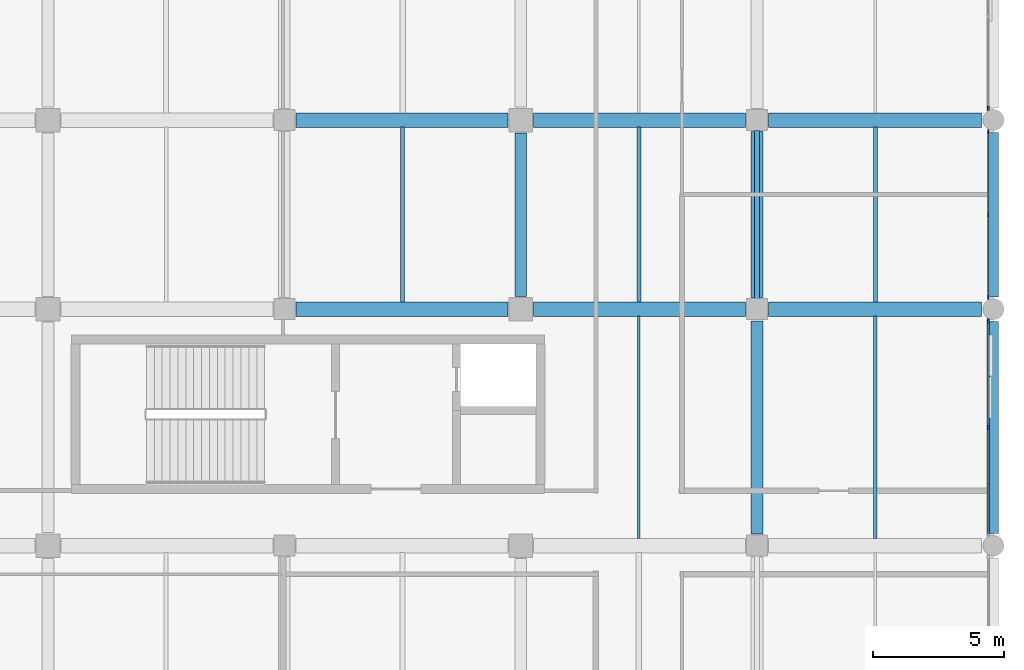
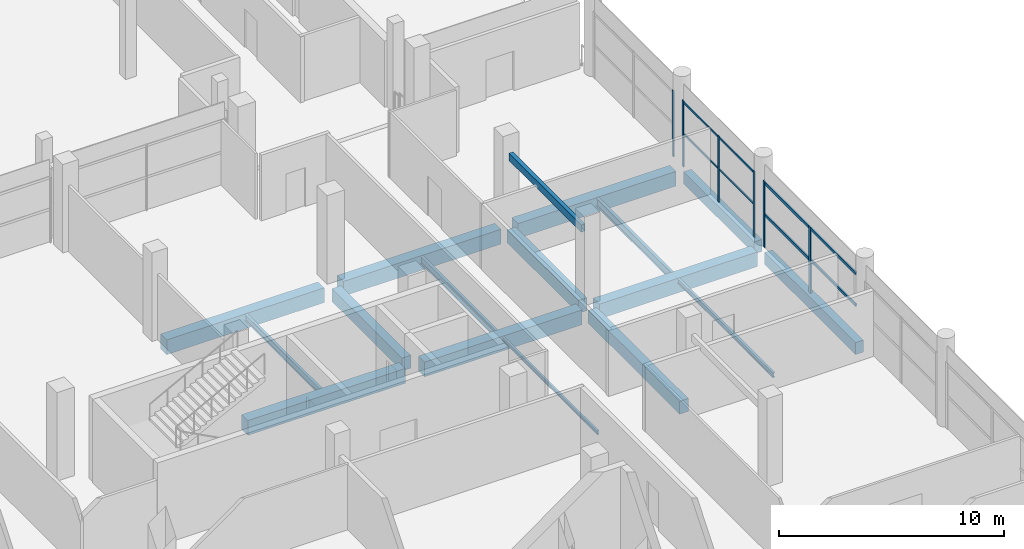
# One storey, part 40 of 111: 16 beams, 11 members, 3 elements without a shape of their own.
"""IFC4 building model written with IfcOpenShell, lengths in metres."""

from ifc_helpers import new_model, si_unit, direction, frame, origin, origin_2d, place, context, subcontext, project, spatial, rectangle, hollow_rectangle, i_section, extrude, material, material_profile, profile_set, type_object, element, aggregate, save


model = new_model("IFC4")

# Units and contexts
model_context = context("Model", 3, precision=1e-05, world=origin(), true_north=direction((0.0, 1.0)))
body_context = subcontext(model_context, "Body", "Model", "MODEL_VIEW")
ifc_project = project(units=[si_unit("LENGTHUNIT", "METRE"), si_unit("AREAUNIT", "SQUARE_METRE"), si_unit("VOLUMEUNIT", "CUBIC_METRE"), si_unit("PLANEANGLEUNIT", "RADIAN"), si_unit("MASSUNIT", "GRAM", prefix="KILO"), si_unit("THERMODYNAMICTEMPERATUREUNIT", "KELVIN"), si_unit("POWERUNIT", "WATT")], contexts=[model_context])

# Site, building, storey
site_placement = place(None, origin())
site = spatial("IfcSite", under=ifc_project, at=site_placement, CompositionType="ELEMENT")
building_placement = place(site_placement, origin())
building = spatial("IfcBuilding", under=site, at=building_placement, Name="Sindhuravela Promenade Stadium", CompositionType="ELEMENT")
storey_placement = place(building_placement, frame((0.0, 0.0, 9.60009765625)))
storey = spatial("IfcBuildingStorey", under=building, at=storey_placement, Name="L02", CompositionType="ELEMENT", Elevation=9.60009765625)

# Curtain wall, members
ifc_material_1 = material(Name="Anodised architectural aluminium 6063-T6", Category="aluminium")
curtain_wall_type_1 = type_object("IfcCurtainWallType", Name="CW-MOD-5", PredefinedType="NOTDEFINED", material=ifc_material_1)
curtain_wall_1_placement = place(storey_placement, origin())
curtain_wall_1 = element("IfcCurtainWall", 1, at=curtain_wall_1_placement, inside=storey, type_object=curtain_wall_type_1, Name="Bronze curtain wall CW-EAST-L02-108", PredefinedType="NOTDEFINED")
ifc_material_profile_1 = material_profile(ifc_material_1, rectangle(XDim=0.074951171875, YDim=0.175048828125, at=origin_2d()), Name="ALU MULL 75x175")
ifc_profile_set_1 = profile_set([ifc_material_profile_1], Name="Anodised architectural aluminium 6063-T6")
member_type_1 = type_object("IfcMemberType", Name="CW-MUL-1", PredefinedType="MULLION", material=ifc_profile_set_1)
member_1_placement = place(storey_placement, frame((215.800048828125, 109.35009765625, 0.0), z_axis=(0.0, 0.0, 1.0), x_axis=(1.0, 0.0, 0.0)))
member_1 = element("IfcMember", 2, at=member_1_placement, type_object=member_type_1, Name="Curtain wall mullion CW-EAST-L02-108-M1", PredefinedType="MULLION", context=body_context, shape_type="SweptSolid", body=[
    extrude(rectangle(XDim=0.074951171875, YDim=0.175048828125, at=origin_2d()), origin(), (0.0, 0.0, 1.0), 3.579833984375),
])
member_2_placement = place(storey_placement, frame((215.800048828125, 105.300048828125, 0.0), z_axis=(0.0, 0.0, 1.0), x_axis=(1.0, 0.0, 0.0)))
member_2 = element("IfcMember", 3, at=member_2_placement, type_object=member_type_1, Name="Curtain wall mullion CW-EAST-L02-108-M2", PredefinedType="MULLION", context=body_context, shape_type="SweptSolid", body=[
    extrude(rectangle(XDim=0.074951171875, YDim=0.175048828125, at=origin_2d()), origin(), (0.0, 0.0, 1.0), 3.579833984375),
])

# Curtain wall, member
curtain_wall_type_2 = type_object("IfcCurtainWallType", Name="CW-MOD-3", PredefinedType="NOTDEFINED", material=ifc_material_1)
curtain_wall_2_placement = place(storey_placement, origin())
curtain_wall_2 = element("IfcCurtainWall", 4, at=curtain_wall_2_placement, inside=storey, type_object=curtain_wall_type_2, Name="Bronze curtain wall CW-EAST-L02-106", PredefinedType="NOTDEFINED")
ifc_material_profile_2 = material_profile(ifc_material_1, rectangle(XDim=0.06005859375, YDim=0.139892578125, at=origin_2d()), Name="ALU M60x140")
ifc_profile_set_2 = profile_set([ifc_material_profile_2], Name="Anodised architectural aluminium 6063-T6")
member_type_2 = type_object("IfcMemberType", Name="CW-MUL-5", PredefinedType="MULLION", material=ifc_profile_set_2)
member_3_placement = place(storey_placement, frame((215.800048828125, 117.449951171875, 0.0), z_axis=(0.0, 0.0, 1.0), x_axis=(1.0, 0.0, 0.0)))
member_3 = element("IfcMember", 5, at=member_3_placement, type_object=member_type_2, Name="Curtain wall mullion CW-EAST-L02-106-M3", PredefinedType="MULLION", context=body_context, shape_type="SweptSolid", body=[
    extrude(rectangle(XDim=0.06005859375, YDim=0.139892578125, at=origin_2d()), origin(), (0.0, 0.0, 1.0), 3.579833984375),
])
aggregate(curtain_wall_2, [member_3])

# Curtain wall, members
curtain_wall_type_3 = type_object("IfcCurtainWallType", Name="CW-MOD-4", PredefinedType="NOTDEFINED", material=ifc_material_1)
curtain_wall_3_placement = place(storey_placement, origin())
curtain_wall_3 = element("IfcCurtainWall", 6, at=curtain_wall_3_placement, inside=storey, type_object=curtain_wall_type_3, Name="Bronze curtain wall CW-EAST-L02-107", PredefinedType="NOTDEFINED")
ifc_material_profile_3 = material_profile(ifc_material_1, rectangle(XDim=0.054931640625, YDim=0.14990234375, at=origin_2d()), Name="ALU M55x150")
ifc_profile_set_3 = profile_set([ifc_material_profile_3], Name="Anodised architectural aluminium 6063-T6")
member_type_3 = type_object("IfcMemberType", Name="CW-MUL-6", PredefinedType="MULLION", material=ifc_profile_set_3)
member_4_placement = place(storey_placement, frame((215.800048828125, 116.550048828125, 0.0), z_axis=(0.0, 0.0, 1.0), x_axis=(1.0, 0.0, 0.0)))
member_4 = element("IfcMember", 7, at=member_4_placement, type_object=member_type_3, Name="Curtain wall mullion CW-EAST-L02-107-M1", PredefinedType="MULLION", context=body_context, shape_type="SweptSolid", body=[
    extrude(rectangle(XDim=0.054931640625, YDim=0.14990234375, at=origin_2d()), origin(), (0.0, 0.0, 1.0), 3.579833984375),
])
member_5_placement = place(storey_placement, frame((215.800048828125, 113.39990234375, 0.0), z_axis=(0.0, 0.0, 1.0), x_axis=(1.0, 0.0, 0.0)))
member_5 = element("IfcMember", 8, at=member_5_placement, type_object=member_type_3, Name="Curtain wall mullion CW-EAST-L02-107-M2", PredefinedType="MULLION", context=body_context, shape_type="SweptSolid", body=[
    extrude(rectangle(XDim=0.054931640625, YDim=0.14990234375, at=origin_2d()), origin(), (0.0, 0.0, 1.0), 3.579833984375),
])
member_6_placement = place(storey_placement, frame((215.800048828125, 110.25, 0.0), z_axis=(0.0, 0.0, 1.0), x_axis=(1.0, 0.0, 0.0)))
member_6 = element("IfcMember", 9, at=member_6_placement, type_object=member_type_3, Name="Curtain wall mullion CW-EAST-L02-107-M3", PredefinedType="MULLION", context=body_context, shape_type="SweptSolid", body=[
    extrude(rectangle(XDim=0.054931640625, YDim=0.14990234375, at=origin_2d()), origin(), (0.0, 0.0, 1.0), 3.579833984375),
])

# Member
ifc_material_profile_4 = material_profile(ifc_material_1, rectangle(XDim=0.074951171875, YDim=0.14990234375, at=origin_2d()), Name="ALU TRAN 75x150")
ifc_profile_set_4 = profile_set([ifc_material_profile_4], Name="Anodised architectural aluminium 6063-T6")
member_type_4 = type_object("IfcMemberType", Name="CW-TRN-1", PredefinedType="USERDEFINED", material=ifc_profile_set_4)
member_7_placement = place(storey_placement, frame((215.800048828125, 109.375, 1.789794921875), z_axis=(0.0, -1.0, 0.0), x_axis=(1.0, 0.0, 0.0)))
member_7 = element("IfcMember", 10, at=member_7_placement, type_object=member_type_4, Name="Curtain wall transom CW-EAST-L02-108-T1", ObjectType="TRANSOM", PredefinedType="USERDEFINED", context=body_context, shape_type="SweptSolid", body=[
    extrude(rectangle(XDim=0.074951171875, YDim=0.14990234375, at=origin_2d()), origin(), (0.0, 0.0, 1.0), 8.14990234375),
])

member_8_placement = place(storey_placement, frame((215.800048828125, 109.375, 3.5), z_axis=(0.0, -1.0, 0.0), x_axis=(1.0, 0.0, 0.0)))
member_8 = element("IfcMember", 11, at=member_8_placement, type_object=member_type_4, Name="Curtain wall transom CW-EAST-L02-108-T2", ObjectType="TRANSOM", PredefinedType="USERDEFINED", context=body_context, shape_type="SweptSolid", body=[
    extrude(rectangle(XDim=0.074951171875, YDim=0.14990234375, at=origin_2d()), origin(), (0.0, 0.0, 1.0), 8.14990234375),
])

aggregate(curtain_wall_1, [member_1, member_2, member_7, member_8])

ifc_material_profile_5 = material_profile(ifc_material_1, rectangle(XDim=0.054931640625, YDim=0.10498046875, at=origin_2d()), Name="ALU T55x105")
ifc_profile_set_5 = profile_set([ifc_material_profile_5], Name="Anodised architectural aluminium 6063-T6")
member_type_5 = type_object("IfcMemberType", Name="CW-TRN-6", PredefinedType="USERDEFINED", material=ifc_profile_set_5)
member_9_placement = place(storey_placement, frame((215.800048828125, 116.574951171875, 1.789794921875), z_axis=(0.0, -1.0, 0.0), x_axis=(1.0, 0.0, 0.0)))
member_9 = element("IfcMember", 12, at=member_9_placement, type_object=member_type_5, Name="Curtain wall transom CW-EAST-L02-107-T1", ObjectType="TRANSOM", PredefinedType="USERDEFINED", context=body_context, shape_type="SweptSolid", body=[
    extrude(rectangle(XDim=0.054931640625, YDim=0.10498046875, at=origin_2d()), origin(), (0.0, 0.0, 1.0), 6.349853515625),
])

member_10_placement = place(storey_placement, frame((215.800048828125, 116.574951171875, 3.5), z_axis=(0.0, -1.0, 0.0), x_axis=(1.0, 0.0, 0.0)))
member_10 = element("IfcMember", 13, at=member_10_placement, type_object=member_type_5, Name="Curtain wall transom CW-EAST-L02-107-T2", ObjectType="TRANSOM", PredefinedType="USERDEFINED", context=body_context, shape_type="SweptSolid", body=[
    extrude(rectangle(XDim=0.054931640625, YDim=0.10498046875, at=origin_2d()), origin(), (0.0, 0.0, 1.0), 6.349853515625),
])

aggregate(curtain_wall_3, [member_4, member_5, member_6, member_9, member_10])

# Beams
ifc_material_2 = material(Name="Concrete M40", Category="concrete")
ifc_material_profile_6 = material_profile(ifc_material_2, rectangle(XDim=0.39990234375, YDim=0.64990234375, at=origin_2d()), Name="RC 400x650")
ifc_profile_set_6 = profile_set([ifc_material_profile_6], Name="Concrete M40")
beam_type_1 = type_object("IfcBeamType", Name="RC-BM-400x650", PredefinedType="SPANDREL", material=ifc_profile_set_6)
beam_1_placement = place(storey_placement, frame((216.0, 101.264892578125, -0.60498046875), z_axis=(0.0, 1.0, 0.0), x_axis=(-1.0, 0.0, 0.0)))
element("IfcBeam", 14, at=beam_1_placement, inside=storey, type_object=beam_type_1, Name="Primary beam SP01 EAST L02", PredefinedType="SPANDREL", context=body_context, shape_type="SweptSolid", body=[
    extrude(rectangle(XDim=0.39990234375, YDim=0.64990234375, at=origin_2d()), origin(), (0.0, 0.0, 1.0), 8.070068359375),
])
beam_2_placement = place(storey_placement, frame((216.0, 110.264892578125, -0.60498046875), z_axis=(0.0, 1.0, 0.0), x_axis=(-1.0, 0.0, 0.0)))
element("IfcBeam", 15, at=beam_2_placement, inside=storey, type_object=beam_type_1, Name="Primary beam SP01 EAST L02", PredefinedType="SPANDREL", context=body_context, shape_type="SweptSolid", body=[
    extrude(rectangle(XDim=0.39990234375, YDim=0.64990234375, at=origin_2d()), origin(), (0.0, 0.0, 1.0), 6.27001953125),
])
ifc_material_profile_7 = material_profile(ifc_material_2, rectangle(XDim=0.449951171875, YDim=0.699951171875, at=origin_2d()), Name="RC 450x700")
ifc_profile_set_7 = profile_set([ifc_material_profile_7], Name="Concrete M40")
beam_type_2 = type_object("IfcBeamType", Name="RC-BM-450x700", PredefinedType="BEAM", material=ifc_profile_set_7)
beam_3_placement = place(storey_placement, frame((198.0, 110.2900390625, -0.630126953125), z_axis=(0.0, 1.0, 0.0), x_axis=(-1.0, 0.0, 0.0)))
element("IfcBeam", 16, at=beam_3_placement, inside=storey, type_object=beam_type_2, Name="Primary beam GB07 EAST L02", PredefinedType="BEAM", context=body_context, shape_type="SweptSolid", body=[
    extrude(rectangle(XDim=0.449951171875, YDim=0.699951171875, at=origin_2d()), origin(), (0.0, 0.0, 1.0), 6.219970703125),
])
beam_4_placement = place(storey_placement, frame((207.0, 101.239990234375, -0.630126953125), z_axis=(0.0, 1.0, 0.0), x_axis=(-1.0, 0.0, 0.0)))
element("IfcBeam", 17, at=beam_4_placement, inside=storey, type_object=beam_type_2, Name="Primary beam GB07 EAST L02", PredefinedType="BEAM", context=body_context, shape_type="SweptSolid", body=[
    extrude(rectangle(XDim=0.449951171875, YDim=0.699951171875, at=origin_2d()), origin(), (0.0, 0.0, 1.0), 8.1201171875),
])
beam_5_placement = place(storey_placement, frame((207.0, 110.239990234375, -0.630126953125), z_axis=(0.0, 1.0, 0.0), x_axis=(-1.0, 0.0, 0.0)))
element("IfcBeam", 18, at=beam_5_placement, inside=storey, type_object=beam_type_2, Name="Primary beam GB07 EAST L02", PredefinedType="BEAM", context=body_context, shape_type="SweptSolid", body=[
    extrude(rectangle(XDim=0.449951171875, YDim=0.699951171875, at=origin_2d()), origin(), (0.0, 0.0, 1.0), 6.320068359375),
])
ifc_material_profile_8 = material_profile(ifc_material_2, rectangle(XDim=0.550048828125, YDim=0.800048828125, at=origin_2d()), Name="RC 550x800")
ifc_profile_set_8 = profile_set([ifc_material_profile_8], Name="Concrete M40")
beam_type_3 = type_object("IfcBeamType", Name="RC-BM-550x800", PredefinedType="BEAM", material=ifc_profile_set_8)
for number, where, z_axis, x_axis, name in (
    (19, (189.43994140625, 109.800048828125, -0.68017578125), (1.0, 0.0, 0.0), (0.0, 1.0, 0.0), "Primary girder GB05 EAST L02"),
    (20, (198.489990234375, 109.800048828125, -0.68017578125), (1.0, 0.0, 0.0), (0.0, 1.0, 0.0), "Primary girder GB05 EAST L02"),
):
    element("IfcBeam", number, at=place(storey_placement, frame(where, z_axis=z_axis, x_axis=x_axis)), inside=storey, type_object=beam_type_3, Name=name, PredefinedType="BEAM", context=body_context, shape_type="SweptSolid", body=[
        extrude(rectangle(XDim=0.550048828125, YDim=0.800048828125, at=origin_2d()), origin(), (0.0, 0.0, 1.0), 8.070068359375),
    ])
beam_6_placement = place(storey_placement, frame((207.43994140625, 109.800048828125, -0.68017578125), z_axis=(1.0, 0.0, 0.0), x_axis=(0.0, 1.0, 0.0)))
element("IfcBeam", 21, at=beam_6_placement, inside=storey, type_object=beam_type_3, Name="Primary girder GB05 EAST L02", PredefinedType="BEAM", context=body_context, shape_type="SweptSolid", body=[
    extrude(rectangle(XDim=0.550048828125, YDim=0.800048828125, at=origin_2d()), origin(), (0.0, 0.0, 1.0), 8.094970703125),
])
for number, where, z_axis, x_axis, name in (
    (22, (189.43994140625, 117.0, -0.68017578125), (1.0, 0.0, 0.0), (0.0, 1.0, 0.0), "Primary girder GB05 EAST L02"),
    (23, (198.489990234375, 117.0, -0.68017578125), (1.0, 0.0, 0.0), (0.0, 1.0, 0.0), "Primary girder GB05 EAST L02"),
):
    element("IfcBeam", number, at=place(storey_placement, frame(where, z_axis=z_axis, x_axis=x_axis)), inside=storey, type_object=beam_type_3, Name=name, PredefinedType="BEAM", context=body_context, shape_type="SweptSolid", body=[
        extrude(rectangle(XDim=0.550048828125, YDim=0.800048828125, at=origin_2d()), origin(), (0.0, 0.0, 1.0), 8.070068359375),
    ])
beam_7_placement = place(storey_placement, frame((207.43994140625, 117.0, -0.68017578125), z_axis=(1.0, 0.0, 0.0), x_axis=(0.0, 1.0, 0.0)))
element("IfcBeam", 24, at=beam_7_placement, inside=storey, type_object=beam_type_3, Name="Primary girder GB05 EAST L02", PredefinedType="BEAM", context=body_context, shape_type="SweptSolid", body=[
    extrude(rectangle(XDim=0.550048828125, YDim=0.800048828125, at=origin_2d()), origin(), (0.0, 0.0, 1.0), 8.094970703125),
])
ifc_material_3 = material(Name="Steel E350 (IS 2062 E350BR)", Category="steel")
ifc_material_profile_9 = material_profile(ifc_material_3, i_section(OverallWidth=0.10009765625, OverallDepth=0.199951171875, WebThickness=0.005615234375, FlangeThickness=0.0107421875, FilletRadius=0.010986328125, at=origin_2d()), Name="ISMB 200")
ifc_profile_set_9 = profile_set([ifc_material_profile_9], Name="Steel E350 (IS 2062 E350BR)")
beam_type_4 = type_object("IfcBeamType", Name="ST-BM-MB200", PredefinedType="JOIST", material=ifc_profile_set_9)
beam_8_placement = place(storey_placement, frame((202.5, 101.06494140625, -0.380126953125), z_axis=(0.0, 1.0, 0.0), x_axis=(-1.0, 0.0, 0.0)))
element("IfcBeam", 25, at=beam_8_placement, inside=storey, type_object=beam_type_4, Name="Secondary floor joist SB01 EAST L02", PredefinedType="JOIST", context=body_context, shape_type="SweptSolid", body=[
    extrude(i_section(OverallWidth=0.10009765625, OverallDepth=0.199951171875, WebThickness=0.005615234375, FlangeThickness=0.0107421875, FilletRadius=0.010986328125, at=origin_2d()), origin(), (0.0, 0.0, 1.0), 8.469970703125),
])
ifc_material_profile_10 = material_profile(ifc_material_3, i_section(OverallWidth=0.125, OverallDepth=0.25, WebThickness=0.0068359375, FlangeThickness=0.012451171875, FilletRadius=0.012939453125, at=origin_2d()), Name="ISMB 250")
ifc_profile_set_10 = profile_set([ifc_material_profile_10], Name="Steel E350 (IS 2062 E350BR)")
beam_type_5 = type_object("IfcBeamType", Name="ST-BM-MB250", PredefinedType="JOIST", material=ifc_profile_set_10)
beam_9_placement = place(storey_placement, frame((211.5, 101.06494140625, -0.405029296875), z_axis=(0.0, 1.0, 0.0), x_axis=(-1.0, 0.0, 0.0)))
element("IfcBeam", 26, at=beam_9_placement, inside=storey, type_object=beam_type_5, Name="Secondary floor joist SB02 EAST L02", PredefinedType="JOIST", context=body_context, shape_type="SweptSolid", body=[
    extrude(i_section(OverallWidth=0.125, OverallDepth=0.25, WebThickness=0.0068359375, FlangeThickness=0.012451171875, FilletRadius=0.012939453125, at=origin_2d()), origin(), (0.0, 0.0, 1.0), 8.469970703125),
])
ifc_material_profile_11 = material_profile(ifc_material_3, i_section(OverallWidth=0.139892578125, OverallDepth=0.35009765625, WebThickness=0.008056640625, FlangeThickness=0.01416015625, FilletRadius=0.013916015625, at=origin_2d()), Name="ISMB 350")
ifc_profile_set_11 = profile_set([ifc_material_profile_11], Name="Steel E350 (IS 2062 E350BR)")
beam_type_6 = type_object("IfcBeamType", Name="ST-BM-MB350", PredefinedType="JOIST", material=ifc_profile_set_11)
beam_10_placement = place(storey_placement, frame((193.5, 110.06494140625, -0.455078125), z_axis=(0.0, 1.0, 0.0), x_axis=(-1.0, 0.0, 0.0)))
element("IfcBeam", 27, at=beam_10_placement, inside=storey, type_object=beam_type_6, Name="Secondary floor joist SB04 EAST L02", PredefinedType="JOIST", context=body_context, shape_type="SweptSolid", body=[
    extrude(i_section(OverallWidth=0.139892578125, OverallDepth=0.35009765625, WebThickness=0.008056640625, FlangeThickness=0.01416015625, FilletRadius=0.013916015625, at=origin_2d()), origin(), (0.0, 0.0, 1.0), 6.670166015625),
])
ifc_material_profile_12 = material_profile(ifc_material_3, i_section(OverallWidth=0.139892578125, OverallDepth=0.39990234375, WebThickness=0.0087890625, FlangeThickness=0.01611328125, FilletRadius=0.013916015625, at=origin_2d()), Name="ISMB 400")
ifc_profile_set_12 = profile_set([ifc_material_profile_12], Name="Steel E350 (IS 2062 E350BR)")
beam_type_7 = type_object("IfcBeamType", Name="ST-BM-MB400", PredefinedType="BEAM", material=ifc_profile_set_12)
beam_11_placement = place(storey_placement, frame((202.5, 110.06494140625, -0.47998046875), z_axis=(0.0, 1.0, 0.0), x_axis=(-1.0, 0.0, 0.0)))
element("IfcBeam", 28, at=beam_11_placement, inside=storey, type_object=beam_type_7, Name="Secondary floor joist SB05 EAST L02", PredefinedType="BEAM", context=body_context, shape_type="SweptSolid", body=[
    extrude(i_section(OverallWidth=0.139892578125, OverallDepth=0.39990234375, WebThickness=0.0087890625, FlangeThickness=0.01611328125, FilletRadius=0.013916015625, at=origin_2d()), origin(), (0.0, 0.0, 1.0), 6.670166015625),
])
ifc_material_profile_13 = material_profile(ifc_material_3, i_section(OverallWidth=0.14990234375, OverallDepth=0.449951171875, WebThickness=0.009521484375, FlangeThickness=0.017333984375, FilletRadius=0.014892578125, at=origin_2d()), Name="ISMB 450")
ifc_profile_set_13 = profile_set([ifc_material_profile_13], Name="Steel E350 (IS 2062 E350BR)")
beam_type_8 = type_object("IfcBeamType", Name="ST-BM-MB450", PredefinedType="BEAM", material=ifc_profile_set_13)
beam_12_placement = place(storey_placement, frame((211.5, 110.06494140625, -0.505126953125), z_axis=(0.0, 1.0, 0.0), x_axis=(-1.0, 0.0, 0.0)))
element("IfcBeam", 29, at=beam_12_placement, inside=storey, type_object=beam_type_8, Name="Secondary floor joist SB06 EAST L02", PredefinedType="BEAM", context=body_context, shape_type="SweptSolid", body=[
    extrude(i_section(OverallWidth=0.14990234375, OverallDepth=0.449951171875, WebThickness=0.009521484375, FlangeThickness=0.017333984375, FilletRadius=0.014892578125, at=origin_2d()), origin(), (0.0, 0.0, 1.0), 6.670166015625),
])

# Member
ifc_material_profile_14 = material_profile(ifc_material_3, hollow_rectangle(XDim=0.199951171875, YDim=0.39990234375, WallThickness=0.011962890625, at=origin_2d()), Name="RHS 400x200x12")
ifc_profile_set_14 = profile_set([ifc_material_profile_14], Name="Steel E350 (IS 2062 E350BR)")
member_type_6 = type_object("IfcMemberType", Name="ST-MB-RHS400", PredefinedType="CHORD", material=ifc_profile_set_14)
member_11_placement = place(storey_placement, frame((207.0, 110.19189453125, 3.599853515625), z_axis=(0.0, 1.0, 0.0), x_axis=(-1.0, 0.0, 0.0)))
element("IfcMember", 30, at=member_11_placement, inside=storey, type_object=member_type_6, Name="Portal tie member MC03-23", PredefinedType="CHORD", context=body_context, shape_type="SweptSolid", body=[
    extrude(hollow_rectangle(XDim=0.199951171875, YDim=0.39990234375, WallThickness=0.011962890625, at=origin_2d()), origin(), (0.0, 0.0, 1.0), 6.416015625),
])

save(model, "model.ifc")
